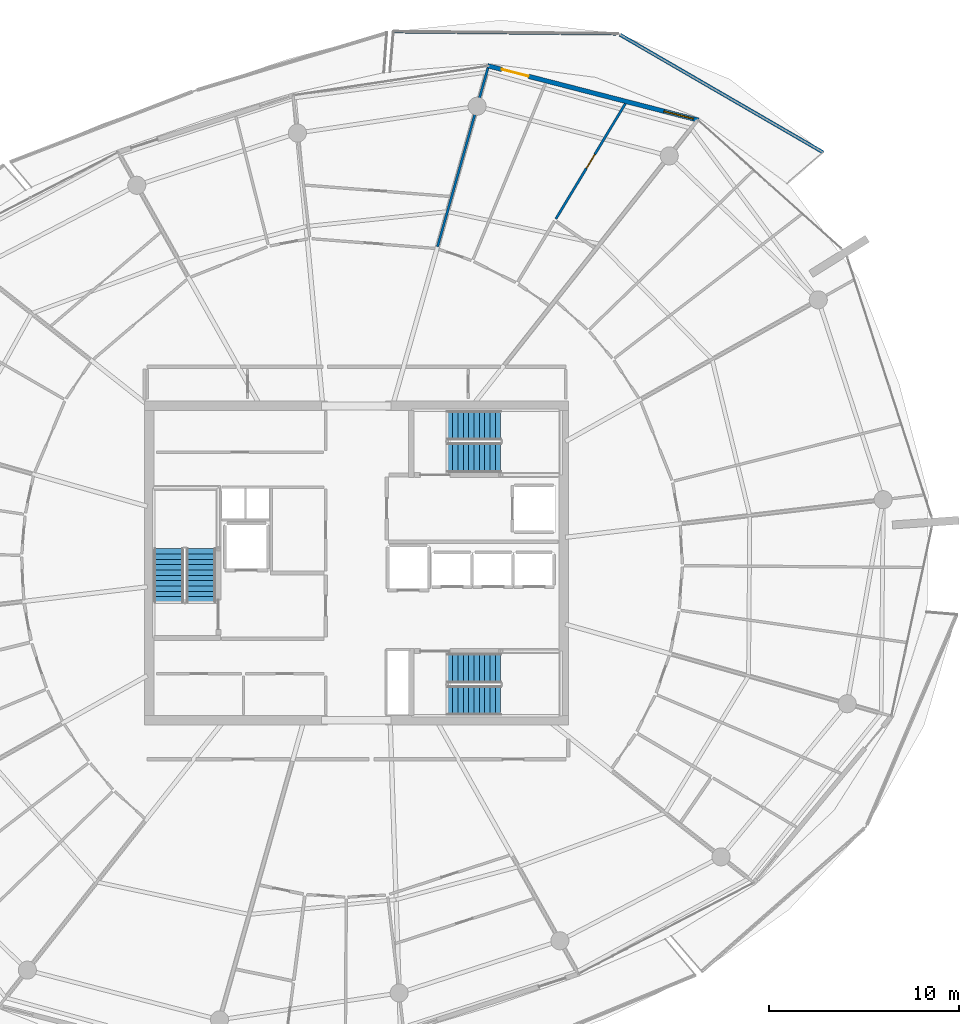
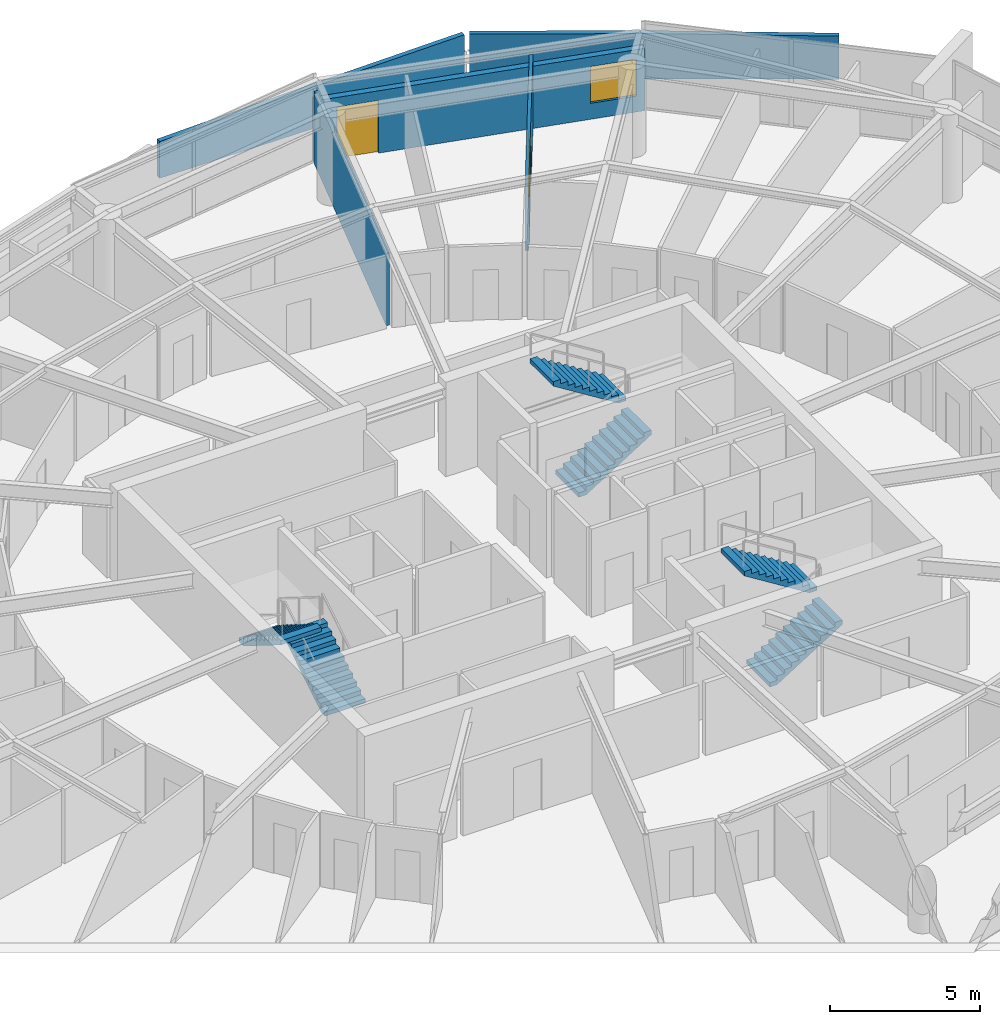
# One storey, part 23 of 30: 6 stair flights, 5 walls, 2 doors, 1 window, 3 openings, 3 elements without a shape of their own.
"""IFC4 building model written with IfcOpenShell, lengths in metres."""

from ifc_helpers import new_model, si_unit, direction, frame, frame_2d, origin, place, context, subcontext, project, spatial, polyline, rectangle, outline, extrude, material, layer, layer_set, type_object, element, fill, aggregate, save


model = new_model("IFC4")

# Units and contexts
model_context = context("Model", 3, precision=1e-05, world=origin(), true_north=direction((0.0, 1.0)))
body_context = subcontext(model_context, "Body", "Model", "MODEL_VIEW")
ifc_project = project(units=[si_unit("LENGTHUNIT", "METRE"), si_unit("AREAUNIT", "SQUARE_METRE"), si_unit("VOLUMEUNIT", "CUBIC_METRE"), si_unit("PLANEANGLEUNIT", "RADIAN"), si_unit("MASSUNIT", "GRAM", prefix="KILO")], contexts=[model_context])

# Site, building, storey
site_placement = place(None, origin())
site = spatial("IfcSite", under=ifc_project, at=site_placement, CompositionType="ELEMENT")
building_placement = place(site_placement, origin())
building = spatial("IfcBuilding", under=site, at=building_placement, Name="Kazma Halo Residences", CompositionType="ELEMENT")
storey_placement = place(building_placement, frame((0.0, 0.0, 290.60009765625)))
storey = spatial("IfcBuildingStorey", under=building, at=storey_placement, Name="L73", CompositionType="ELEMENT", Elevation=290.60009765625)

# Walls
ifc_material_1 = material(Name="White Concrete C50/60 Balustrade", Category="concrete")
ifc_layer_1 = layer(ifc_material_1, 0.179931640625)
ifc_layer_set_1 = layer_set([ifc_layer_1], Name="White Concrete C50/60 Balustrade")
wall_type_1 = type_object("IfcWallType", Name="WL-BAL-WAVE-180", PredefinedType="PARAPET", material=ifc_layer_set_1)
wall_1_placement = place(storey_placement, frame((72.927490234375, 63.554931640625, 0.0), z_axis=(0.0, 0.0, 1.0), x_axis=(-0.865262565506, 0.501318953097, 0.0)))
element("IfcWall", 1, at=wall_1_placement, inside=storey, type_object=wall_type_1, Name="L73 white wave balustrade wall NE.1", PredefinedType="PARAPET", context=body_context, shape_type="SweptSolid", body=[
    extrude(outline(polyline([(0.0, 0.0), (12.322998046875, 0.0), (12.322998046875, 1.831787109375), (6.16162109375, 1.852783203125), (0.0, 1.755859375), (0.0, 0.0)])), frame((0.0, 0.08984375, 0.0), z_axis=(0.0, -1.0, 0.0), x_axis=(1.0, 0.0, 0.0)), (0.0, 0.0, 1.0), 0.179931640625),
])
wall_2_placement = place(storey_placement, frame((62.041259765625, 69.794189453125, 0.0), z_axis=(0.0, 0.0, 1.0), x_axis=(-0.999953725113, 0.009620168017, 0.0)))
element("IfcWall", 2, at=wall_2_placement, inside=storey, type_object=wall_type_1, Name="L73 white wave balustrade wall NE.2", PredefinedType="PARAPET", context=body_context, shape_type="SweptSolid", body=[
    extrude(outline(polyline([(0.0, 0.0), (11.673828125, 0.0), (11.673828125, 1.496826171875), (5.8369140625, 1.69580078125), (0.0, 1.831787109375), (0.0, 0.0)])), frame((0.0, 0.08984375, 0.0), z_axis=(0.0, -1.0, 0.0), x_axis=(1.0, 0.0, 0.0)), (0.0, 0.0, 1.0), 0.179931640625),
])

# Wall, openings, door, window
ifc_material_2 = material(Name="Insulated Pale-Metal Composite Wall")
ifc_layer_2 = layer(ifc_material_2, 0.239990234375)
ifc_layer_set_2 = layer_set([ifc_layer_2], Name="Insulated Pale-Metal Composite Wall")
wall_type_2 = type_object("IfcWallType", Name="WL-EXT-HOST-240", PredefinedType="SOLIDWALL", material=ifc_layer_set_2)
wall_3_placement = place(storey_placement, frame((66.386474609375, 65.2490234375, 0.0), z_axis=(0.0, 0.0, 1.0), x_axis=(-0.968343758421, 0.249620442927, 0.0)))
wall_3 = element("IfcWall", 3, at=wall_3_placement, inside=storey, type_object=wall_type_2, Name="L73 exterior terrace-access wall B02", PredefinedType="SOLIDWALL", context=body_context, shape_type="SweptSolid", body=[
    extrude(rectangle(XDim=11.438232421875, YDim=0.239990234375, at=frame_2d((5.71923828125, 0.0))), origin(), (0.0, 0.0, 1.0), 2.539794921875),
])
opening_1_placement = place(wall_3_placement, frame((9.21826171875, 0.0, 0.0)))
opening_1 = element("IfcOpeningElement", 4, at=opening_1_placement, cuts=wall_3, Name="Opening DTR-1600", PredefinedType="OPENING", context=body_context, shape_type="SweptSolid", body=[
    extrude(rectangle(XDim=1.449951171875, YDim=2.14990234375, at=frame_2d((0.72509765625, 1.074951171875))), frame((0.0, 0.1298828125, 0.0), z_axis=(0.0, -1.0, 0.0), x_axis=(1.0, 0.0, 0.0)), (0.0, 0.0, 1.0), 0.260009765625),
])
opening_2_placement = place(wall_3_placement, frame((0.280029296875, 0.0, 0.64990234375)))
opening_2 = element("IfcOpeningElement", 5, at=opening_2_placement, cuts=wall_3, Name="Opening W-1800", PredefinedType="OPENING", context=body_context, shape_type="SweptSolid", body=[
    extrude(rectangle(XDim=1.60009765625, YDim=1.5, at=frame_2d((0.800048828125, 0.75))), frame((0.0, 0.1298828125, 0.0), z_axis=(0.0, -1.0, 0.0), x_axis=(1.0, 0.0, 0.0)), (0.0, 0.0, 1.0), 0.260009765625),
])
ifc_material_3 = material(Name="Aluminium AW-6063 T6 Double-Glazed Terrace Door", Category="aluminium")
door_type_1 = type_object("IfcDoorType", Name="DR-EXT-TERR-1600", OperationType="NOTDEFINED", PredefinedType="DOOR", material=ifc_material_3)
door_1_placement = place(opening_1_placement, origin())
door_1 = element("IfcDoor", 6, at=door_1_placement, inside=storey, type_object=door_type_1, Name="L73 B02 balcony terrace door", OperationType="DOUBLE_DOOR_SLIDING", OverallHeight=2.14990234375, OverallWidth=1.449951171875, PredefinedType="DOOR", context=body_context, shape_type="SweptSolid", body=[
    extrude(rectangle(XDim=1.449951171875, YDim=2.14990234375, at=frame_2d((0.72509765625, 1.074951171875))), frame((0.0, 0.02490234375, 0.0), z_axis=(0.0, -1.0, 0.0), x_axis=(1.0, 0.0, 0.0)), (0.0, 0.0, 1.0), 0.050048828125),
])
fill(opening_1, door_1)
ifc_material_4 = material(Name="Clear Triple-Silver Low-E Glass in Aluminium AW-6063 T6 Frame", Category="aluminium")
window_type = type_object("IfcWindowType", Name="WIN-RES-1800", PartitioningType="DOUBLE_PANEL_VERTICAL", PredefinedType="WINDOW", material=ifc_material_4)
window_placement = place(opening_2_placement, origin())
window = element("IfcWindow", 7, at=window_placement, inside=storey, type_object=window_type, Name="L73 B02 apartment window", OverallHeight=1.5, OverallWidth=1.60009765625, PartitioningType="SINGLE_PANEL", PredefinedType="WINDOW", context=body_context, shape_type="SweptSolid", body=[
    extrude(rectangle(XDim=1.60009765625, YDim=1.5, at=frame_2d((0.800048828125, 0.75))), frame((0.0, 0.030029296875, 0.0), z_axis=(0.0, -1.0, 0.0), x_axis=(1.0, 0.0, 0.0)), (0.0, 0.0, 1.0), 0.06005859375),
])
fill(opening_2, window)

# Wall, opening, door
ifc_material_5 = material(Name="Gypsum Plasterboard Partition")
ifc_layer_3 = layer(ifc_material_5, 0.125)
ifc_layer_set_3 = layer_set([ifc_layer_3], Name="Gypsum Plasterboard Partition")
wall_type_3 = type_object("IfcWallType", Name="WL-PART-125", PredefinedType="PARTITIONING", material=ifc_layer_set_3)
wall_4_placement = place(storey_placement, frame((58.893310546875, 60.061279296875, 0.0), z_axis=(0.0, 0.0, 1.0), x_axis=(0.516439316059, 0.856323789713, 0.0)))
wall_4 = element("IfcWall", 8, at=wall_4_placement, inside=storey, type_object=wall_type_3, Name="L73 Apartment 1 Utility Laundry Room partition wall", PredefinedType="PARTITIONING", context=body_context, shape_type="SweptSolid", body=[
    extrude(rectangle(XDim=7.0703125, YDim=0.125, at=frame_2d((3.53515625, 0.0))), origin(), (0.0, 0.0, 1.0), 3.02978515625),
])
opening_3_placement = place(wall_4_placement, frame((3.110107421875, 0.0, 0.0)))
opening_3 = element("IfcOpeningElement", 9, at=opening_3_placement, cuts=wall_4, Name="Opening DB-900", PredefinedType="OPENING", context=body_context, shape_type="SweptSolid", body=[
    extrude(rectangle(XDim=0.85009765625, YDim=2.06005859375, at=frame_2d((0.425048828125, 1.030029296875))), frame((0.0, 0.072509765625, 0.0), z_axis=(0.0, -1.0, 0.0), x_axis=(1.0, 0.0, 0.0)), (0.0, 0.0, 1.0), 0.14501953125),
])
ifc_material_6 = material(Name="Moisture-Sealed Timber Leaf", Category="wood")
door_type_2 = type_object("IfcDoorType", Name="DR-BTH-900", OperationType="NOTDEFINED", PredefinedType="DOOR", material=ifc_material_6)
door_2_placement = place(opening_3_placement, origin())
door_2 = element("IfcDoor", 10, at=door_2_placement, inside=storey, type_object=door_type_2, Name="L73 Apartment 1 Utility Laundry Room door", OperationType="SINGLE_SWING_RIGHT", OverallHeight=2.06005859375, OverallWidth=0.85009765625, PredefinedType="DOOR", context=body_context, shape_type="SweptSolid", body=[
    extrude(rectangle(XDim=0.85009765625, YDim=2.06005859375, at=frame_2d((0.425048828125, 1.030029296875))), frame((0.0, 0.02490234375, 0.0), z_axis=(0.0, -1.0, 0.0), x_axis=(1.0, 0.0, 0.0)), (0.0, 0.0, 1.0), 0.050048828125),
])
fill(opening_3, door_2)

# Wall
wall_5_placement = place(storey_placement, frame((52.682861328125, 58.604248046875, 0.0), z_axis=(0.0, 0.0, 1.0), x_axis=(0.271442886698, 0.962454549192, 0.0)))
element("IfcWall", 11, at=wall_5_placement, inside=storey, type_object=wall_type_3, Name="L73 Apartment 1 radial partition 2", PredefinedType="PARTITIONING", context=body_context, shape_type="SweptSolid", body=[
    extrude(rectangle(XDim=9.732666015625, YDim=0.125, at=frame_2d((4.8662109375, 0.0))), origin(), (0.0, 0.0, 1.0), 2.956787109375),
])

# Stair, stair flights
ifc_material_7 = material(Name="Concrete C50/60", Category="concrete")
stair_type = type_object("IfcStairType", Name="STR-RES2", PredefinedType="HALF_TURN_STAIR", material=ifc_material_7)
stair_1_placement = place(storey_placement, origin())
stair_1 = element("IfcStair", 12, at=stair_1_placement, inside=storey, type_object=stair_type, Name="L73 Core exit stair ST-01", PredefinedType="HALF_TURN_STAIR")
stair_flight_type = type_object("IfcStairFlightType", Name="STR-RES2-FLT", PredefinedType="STRAIGHT", material=ifc_material_7)
stair_flight_1_placement = place(storey_placement, frame((40.27490234375, 39.949951171875, 0.0), z_axis=(0.0, 0.0, 1.0), x_axis=(0.0, 1.0, 0.0)))
stair_flight_1 = element("IfcStairFlight", 13, at=stair_flight_1_placement, type_object=stair_flight_type, Name="ST-01 flight 1", NumberOfRisers=11, NumberOfTreads=10, PredefinedType="STRAIGHT", RiserHeight=0.175, TreadLength=0.28, context=body_context, shape_type="SweptSolid", body=[
    extrude(outline(polyline([(0.0, 0.0), (0.0, 0.175048828125), (0.280029296875, 0.175048828125), (0.280029296875, 0.35009765625), (0.56005859375, 0.35009765625), (0.56005859375, 0.52490234375), (0.840087890625, 0.52490234375), (0.840087890625, 0.699951171875), (1.1201171875, 0.699951171875), (1.1201171875, 0.875), (1.39990234375, 0.875), (1.39990234375, 1.050048828125), (1.679931640625, 1.050048828125), (1.679931640625, 1.22509765625), (1.9599609375, 1.22509765625), (1.9599609375, 1.39990234375), (2.239990234375, 1.39990234375), (2.239990234375, 1.574951171875), (2.52001953125, 1.574951171875), (2.52001953125, 1.75), (2.800048828125, 1.75), (2.800048828125, 1.925048828125), (2.800048828125, 1.5732421875), (0.28271484375, 0.0), (0.0, 0.0)])), frame((0.0, 0.77490234375, 0.0), z_axis=(0.0, -1.0, 0.0), x_axis=(1.0, 0.0, 0.0)), (0.0, 0.0, 1.0), 1.550048828125),
])
stair_flight_2_placement = place(storey_placement, frame((38.574951171875, 42.75, 1.9248046875), z_axis=(0.0, 0.0, 1.0), x_axis=(0.0, -1.0, 0.0)))
stair_flight_2 = element("IfcStairFlight", 14, at=stair_flight_2_placement, type_object=stair_flight_type, Name="ST-01 flight 2", NumberOfRisers=11, NumberOfTreads=10, PredefinedType="STRAIGHT", RiserHeight=0.175, TreadLength=0.28, context=body_context, shape_type="SweptSolid", body=[
    extrude(outline(polyline([(0.0, 0.0), (0.0, 0.175048828125), (0.280029296875, 0.175048828125), (0.280029296875, 0.35009765625), (0.56005859375, 0.35009765625), (0.56005859375, 0.52490234375), (0.840087890625, 0.52490234375), (0.840087890625, 0.699951171875), (1.1201171875, 0.699951171875), (1.1201171875, 0.875), (1.39990234375, 0.875), (1.39990234375, 1.050048828125), (1.679931640625, 1.050048828125), (1.679931640625, 1.22509765625), (1.9599609375, 1.22509765625), (1.9599609375, 1.39990234375), (2.239990234375, 1.39990234375), (2.239990234375, 1.574951171875), (2.52001953125, 1.574951171875), (2.52001953125, 1.75), (2.800048828125, 1.75), (2.800048828125, 1.925048828125), (2.800048828125, 1.5732421875), (0.28271484375, 0.0), (0.0, 0.0)])), frame((0.0, 0.77490234375, 0.0), z_axis=(0.0, -1.0, 0.0), x_axis=(1.0, 0.0, 0.0)), (0.0, 0.0, 1.0), 1.550048828125),
])
aggregate(stair_1, [stair_flight_1, stair_flight_2])

stair_2_placement = place(storey_placement, origin())
stair_2 = element("IfcStair", 15, at=stair_2_placement, inside=storey, type_object=stair_type, Name="L73 Core exit stair ST-02", PredefinedType="HALF_TURN_STAIR")
stair_flight_3_placement = place(storey_placement, frame((53.199951171875, 47.52490234375, 0.0), z_axis=(0.0, 0.0, 1.0), x_axis=(1.0, 0.0, 0.0)))
stair_flight_3 = element("IfcStairFlight", 16, at=stair_flight_3_placement, type_object=stair_flight_type, Name="ST-02 flight 1", NumberOfRisers=11, NumberOfTreads=10, PredefinedType="STRAIGHT", RiserHeight=0.175, TreadLength=0.28, context=body_context, shape_type="SweptSolid", body=[
    extrude(outline(polyline([(0.0, 0.0), (0.0, 0.175048828125), (0.280029296875, 0.175048828125), (0.280029296875, 0.35009765625), (0.56005859375, 0.35009765625), (0.56005859375, 0.52490234375), (0.840087890625, 0.52490234375), (0.840087890625, 0.699951171875), (1.1201171875, 0.699951171875), (1.1201171875, 0.875), (1.39990234375, 0.875), (1.39990234375, 1.050048828125), (1.679931640625, 1.050048828125), (1.679931640625, 1.22509765625), (1.9599609375, 1.22509765625), (1.9599609375, 1.39990234375), (2.239990234375, 1.39990234375), (2.239990234375, 1.574951171875), (2.52001953125, 1.574951171875), (2.52001953125, 1.75), (2.800048828125, 1.75), (2.800048828125, 1.925048828125), (2.800048828125, 1.5732421875), (0.28271484375, 0.0), (0.0, 0.0)])), frame((0.0, 0.77490234375, 0.0), z_axis=(0.0, -1.0, 0.0), x_axis=(1.0, 0.0, 0.0)), (0.0, 0.0, 1.0), 1.550048828125),
])
stair_flight_4_placement = place(storey_placement, frame((56.0, 49.22509765625, 1.9248046875), z_axis=(0.0, 0.0, 1.0), x_axis=(-1.0, 0.0, 0.0)))
stair_flight_4 = element("IfcStairFlight", 17, at=stair_flight_4_placement, type_object=stair_flight_type, Name="ST-02 flight 2", NumberOfRisers=11, NumberOfTreads=10, PredefinedType="STRAIGHT", RiserHeight=0.175, TreadLength=0.28, context=body_context, shape_type="SweptSolid", body=[
    extrude(outline(polyline([(0.0, 0.0), (0.0, 0.175048828125), (0.280029296875, 0.175048828125), (0.280029296875, 0.35009765625), (0.56005859375, 0.35009765625), (0.56005859375, 0.52490234375), (0.840087890625, 0.52490234375), (0.840087890625, 0.699951171875), (1.1201171875, 0.699951171875), (1.1201171875, 0.875), (1.39990234375, 0.875), (1.39990234375, 1.050048828125), (1.679931640625, 1.050048828125), (1.679931640625, 1.22509765625), (1.9599609375, 1.22509765625), (1.9599609375, 1.39990234375), (2.239990234375, 1.39990234375), (2.239990234375, 1.574951171875), (2.52001953125, 1.574951171875), (2.52001953125, 1.75), (2.800048828125, 1.75), (2.800048828125, 1.925048828125), (2.800048828125, 1.5732421875), (0.28271484375, 0.0), (0.0, 0.0)])), frame((0.0, 0.77490234375, 0.0), z_axis=(0.0, -1.0, 0.0), x_axis=(1.0, 0.0, 0.0)), (0.0, 0.0, 1.0), 1.550048828125),
])
aggregate(stair_2, [stair_flight_3, stair_flight_4])

stair_3_placement = place(storey_placement, origin())
stair_3 = element("IfcStair", 18, at=stair_3_placement, inside=storey, type_object=stair_type, Name="L73 Core exit stair ST-03", PredefinedType="HALF_TURN_STAIR")
stair_flight_5_placement = place(storey_placement, frame((53.199951171875, 34.77490234375, 0.0), z_axis=(0.0, 0.0, 1.0), x_axis=(1.0, 0.0, 0.0)))
stair_flight_5 = element("IfcStairFlight", 19, at=stair_flight_5_placement, type_object=stair_flight_type, Name="ST-03 flight 1", NumberOfRisers=11, NumberOfTreads=10, PredefinedType="STRAIGHT", RiserHeight=0.175, TreadLength=0.28, context=body_context, shape_type="SweptSolid", body=[
    extrude(outline(polyline([(0.0, 0.0), (0.0, 0.175048828125), (0.280029296875, 0.175048828125), (0.280029296875, 0.35009765625), (0.56005859375, 0.35009765625), (0.56005859375, 0.52490234375), (0.840087890625, 0.52490234375), (0.840087890625, 0.699951171875), (1.1201171875, 0.699951171875), (1.1201171875, 0.875), (1.39990234375, 0.875), (1.39990234375, 1.050048828125), (1.679931640625, 1.050048828125), (1.679931640625, 1.22509765625), (1.9599609375, 1.22509765625), (1.9599609375, 1.39990234375), (2.239990234375, 1.39990234375), (2.239990234375, 1.574951171875), (2.52001953125, 1.574951171875), (2.52001953125, 1.75), (2.800048828125, 1.75), (2.800048828125, 1.925048828125), (2.800048828125, 1.5732421875), (0.28271484375, 0.0), (0.0, 0.0)])), frame((0.0, 0.77490234375, 0.0), z_axis=(0.0, -1.0, 0.0), x_axis=(1.0, 0.0, 0.0)), (0.0, 0.0, 1.0), 1.550048828125),
])
stair_flight_6_placement = place(storey_placement, frame((56.0, 36.47509765625, 1.9248046875), z_axis=(0.0, 0.0, 1.0), x_axis=(-1.0, 0.0, 0.0)))
stair_flight_6 = element("IfcStairFlight", 20, at=stair_flight_6_placement, type_object=stair_flight_type, Name="ST-03 flight 2", NumberOfRisers=11, NumberOfTreads=10, PredefinedType="STRAIGHT", RiserHeight=0.175, TreadLength=0.28, context=body_context, shape_type="SweptSolid", body=[
    extrude(outline(polyline([(0.0, 0.0), (0.0, 0.175048828125), (0.280029296875, 0.175048828125), (0.280029296875, 0.35009765625), (0.56005859375, 0.35009765625), (0.56005859375, 0.52490234375), (0.840087890625, 0.52490234375), (0.840087890625, 0.699951171875), (1.1201171875, 0.699951171875), (1.1201171875, 0.875), (1.39990234375, 0.875), (1.39990234375, 1.050048828125), (1.679931640625, 1.050048828125), (1.679931640625, 1.22509765625), (1.9599609375, 1.22509765625), (1.9599609375, 1.39990234375), (2.239990234375, 1.39990234375), (2.239990234375, 1.574951171875), (2.52001953125, 1.574951171875), (2.52001953125, 1.75), (2.800048828125, 1.75), (2.800048828125, 1.925048828125), (2.800048828125, 1.5732421875), (0.28271484375, 0.0), (0.0, 0.0)])), frame((0.0, 0.77490234375, 0.0), z_axis=(0.0, -1.0, 0.0), x_axis=(1.0, 0.0, 0.0)), (0.0, 0.0, 1.0), 1.550048828125),
])
aggregate(stair_3, [stair_flight_5, stair_flight_6])

save(model, "model.ifc")
